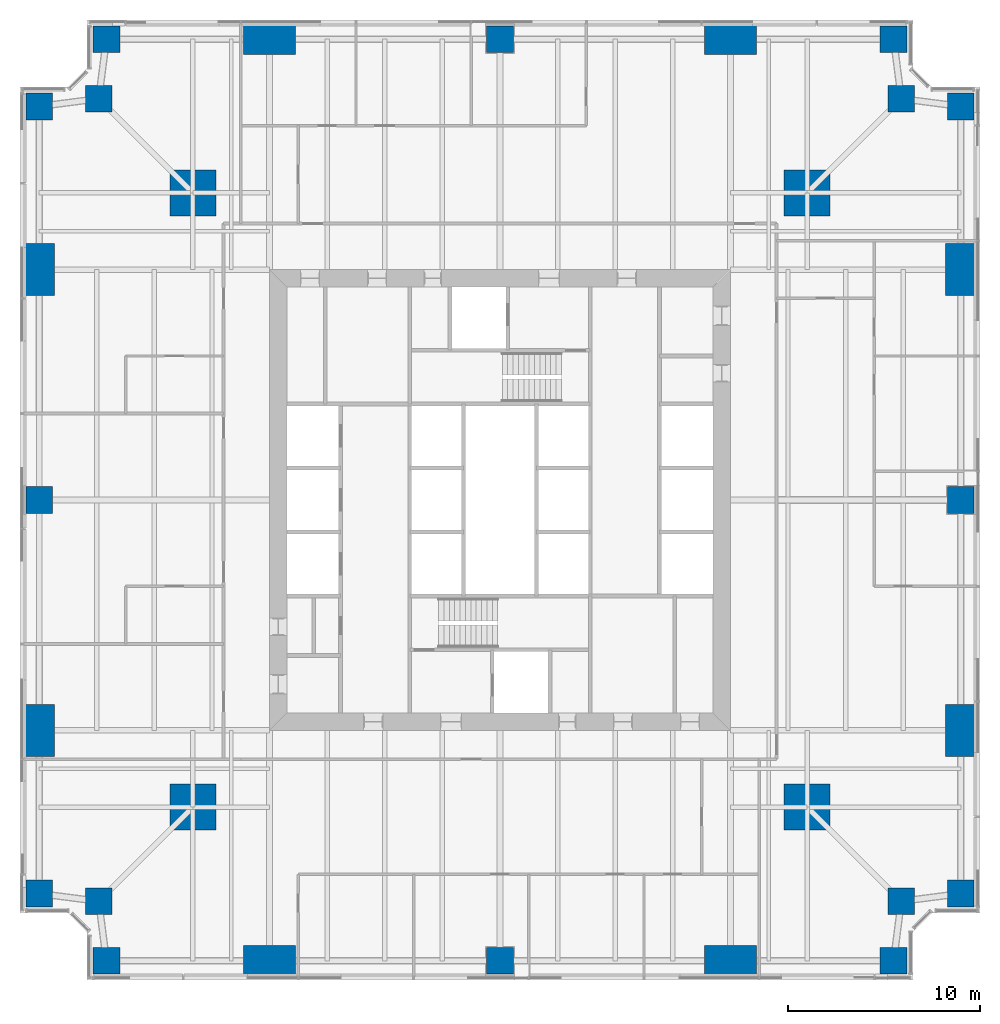
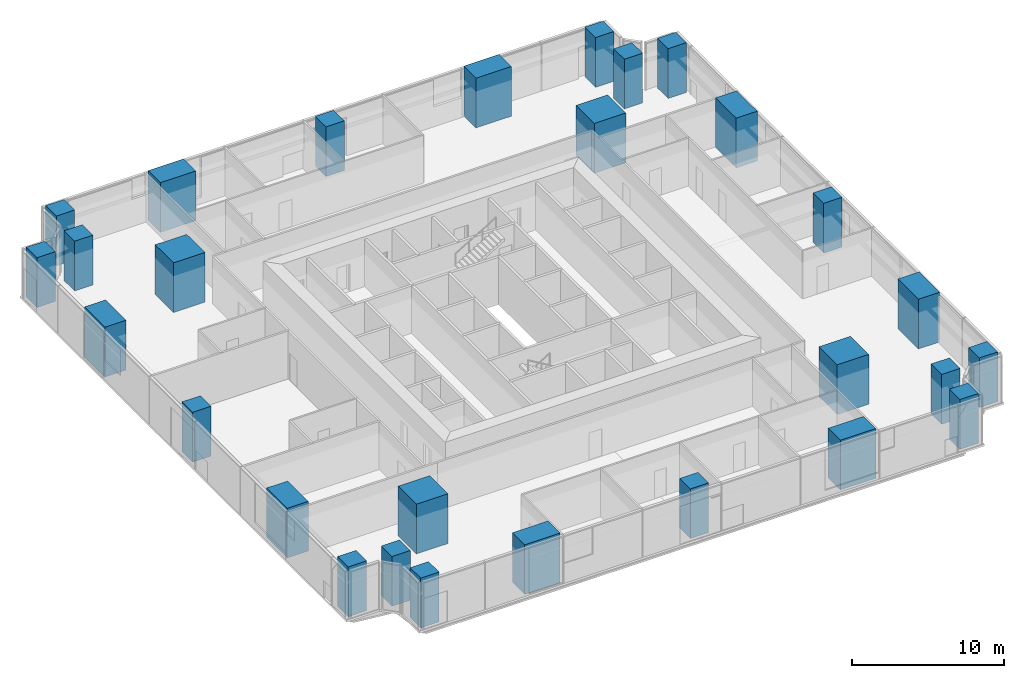
# One storey, part 1 of 14: 28 columns.
"""IFC4 building model written with IfcOpenShell, lengths in metres."""

from ifc_helpers import new_model, si_unit, direction, frame, origin, origin_2d, place, context, subcontext, project, spatial, rectangle, extrude, material, material_profile, profile_set, type_object, element, save


model = new_model("IFC4")

# Units and contexts
model_context = context("Model", 3, precision=1e-05, world=origin(), true_north=direction((0.0, 1.0)))
body_context = subcontext(model_context, "Body", "Model", "MODEL_VIEW")
ifc_project = project(units=[si_unit("LENGTHUNIT", "METRE"), si_unit("AREAUNIT", "SQUARE_METRE"), si_unit("VOLUMEUNIT", "CUBIC_METRE"), si_unit("PLANEANGLEUNIT", "RADIAN"), si_unit("MASSUNIT", "GRAM", prefix="KILO")], contexts=[model_context])

# Site, building, storey
site_placement = place(None, origin())
site = spatial("IfcSite", under=ifc_project, at=site_placement, CompositionType="ELEMENT")
building_placement = place(site_placement, origin())
building = spatial("IfcBuilding", under=site, at=building_placement, Name="Fenwick Lantern Interchange", CompositionType="ELEMENT")
storey_placement = place(building_placement, frame((0.0, 0.0, 83.0)))
storey = spatial("IfcBuildingStorey", under=building, at=storey_placement, Name="L19", CompositionType="ELEMENT", Elevation=83.0)

# Columns
ifc_material = material(Name="Concrete f'c 70 MPa", Category="concrete")
ifc_material_profile_1 = material_profile(ifc_material, rectangle(XDim=2.39990234375, YDim=2.39990234375, at=origin_2d()), Name="RC2400X2400")
ifc_profile_set_1 = profile_set([ifc_material_profile_1], Name="Concrete f'c 70 MPa")
column_type_1 = type_object("IfcColumnType", Name="MEGA COLUMN RC2400X2400", PredefinedType="COLUMN", material=ifc_profile_set_1)
for number, where, z_axis, x_axis, name in (
    (1, (9.0, 9.0, 0.0), (0.0, 0.0, 1.0), (1.0, 0.0, 0.0), "L19/M1"),
    (2, (41.0, 9.0, 0.0), (0.0, 0.0, 1.0), (1.0, 0.0, 0.0), "L19/M2"),
    (3, (41.0, 41.0, 0.0), (0.0, 0.0, 1.0), (1.0, 0.0, 0.0), "L19/M3"),
    (4, (9.0, 41.0, 0.0), (0.0, 0.0, 1.0), (1.0, 0.0, 0.0), "L19/M4"),
):
    element("IfcColumn", number, at=place(storey_placement, frame(where, z_axis=z_axis, x_axis=x_axis)), inside=storey, type_object=column_type_1, Name=name, PredefinedType="COLUMN", context=body_context, shape_type="SweptSolid", body=[
        extrude(rectangle(XDim=2.39990234375, YDim=2.39990234375, at=origin_2d()), origin(), (0.0, 0.0, 1.0), 4.0),
    ])
ifc_material_profile_2 = material_profile(ifc_material, rectangle(XDim=1.39990234375, YDim=1.39990234375, at=origin_2d()), Name="RC1400X1400")
ifc_profile_set_2 = profile_set([ifc_material_profile_2], Name="Concrete f'c 70 MPa")
column_type_2 = type_object("IfcColumnType", Name="PERIMETER COLUMN RC1400X1400", PredefinedType="COLUMN", material=ifc_profile_set_2)
for number, where, z_axis, x_axis, name in (
    (5, (4.5, 1.0, 0.0), (0.0, 0.0, 1.0), (1.0, 0.0, 0.0), "L19/CS1"),
    (6, (25.0, 1.0, 0.0), (0.0, 0.0, 1.0), (1.0, 0.0, 0.0), "L19/CS3"),
    (7, (45.5, 1.0, 0.0), (0.0, 0.0, 1.0), (1.0, 0.0, 0.0), "L19/CS5"),
    (8, (45.89990234375, 4.10009765625, 0.0), (0.0, 0.0, 1.0), (1.0, 0.0, 0.0), "L19/CSR"),
    (9, (49.0, 4.5, 0.0), (0.0, 0.0, 1.0), (1.0, 0.0, 0.0), "L19/CE1"),
    (10, (49.0, 25.0, 0.0), (0.0, 0.0, 1.0), (1.0, 0.0, 0.0), "L19/CE3"),
    (11, (49.0, 45.5, 0.0), (0.0, 0.0, 1.0), (1.0, 0.0, 0.0), "L19/CE5"),
    (12, (45.89990234375, 45.89990234375, 0.0), (0.0, 0.0, 1.0), (1.0, 0.0, 0.0), "L19/CER"),
    (13, (45.5, 49.0, 0.0), (0.0, 0.0, 1.0), (1.0, 0.0, 0.0), "L19/CN1"),
    (14, (25.0, 49.0, 0.0), (0.0, 0.0, 1.0), (1.0, 0.0, 0.0), "L19/CN3"),
    (15, (4.5, 49.0, 0.0), (0.0, 0.0, 1.0), (1.0, 0.0, 0.0), "L19/CN5"),
    (16, (4.10009765625, 45.89990234375, 0.0), (0.0, 0.0, 1.0), (1.0, 0.0, 0.0), "L19/CNR"),
    (17, (1.0, 45.5, 0.0), (0.0, 0.0, 1.0), (1.0, 0.0, 0.0), "L19/CW1"),
    (18, (1.0, 25.0, 0.0), (0.0, 0.0, 1.0), (1.0, 0.0, 0.0), "L19/CW3"),
    (19, (1.0, 4.5, 0.0), (0.0, 0.0, 1.0), (1.0, 0.0, 0.0), "L19/CW5"),
    (20, (4.10009765625, 4.10009765625, 0.0), (0.0, 0.0, 1.0), (1.0, 0.0, 0.0), "L19/CWR"),
):
    element("IfcColumn", number, at=place(storey_placement, frame(where, z_axis=z_axis, x_axis=x_axis)), inside=storey, type_object=column_type_2, Name=name, PredefinedType="COLUMN", context=body_context, shape_type="SweptSolid", body=[
        extrude(rectangle(XDim=1.39990234375, YDim=1.39990234375, at=origin_2d()), origin(), (0.0, 0.0, 1.0), 4.0),
    ])
ifc_material_profile_3 = material_profile(ifc_material, rectangle(XDim=1.60009765625, YDim=2.699951171875, at=origin_2d()), Name="RC1600X2700")
ifc_profile_set_3 = profile_set([ifc_material_profile_3], Name="Concrete f'c 70 MPa")
column_type_3 = type_object("IfcColumnType", Name="PERIMETER COLUMN RC1600X2700", PredefinedType="COLUMN", material=ifc_profile_set_3)
for number, where, z_axis, x_axis, name in (
    (21, (49.0, 13.0, 0.0), (0.0, 0.0, 1.0), (1.0, 0.0, 0.0), "L19/CE2"),
    (22, (49.0, 37.0, 0.0), (0.0, 0.0, 1.0), (1.0, 0.0, 0.0), "L19/CE4"),
    (23, (1.0, 37.0, 0.0), (0.0, 0.0, 1.0), (1.0, 0.0, 0.0), "L19/CW2"),
    (24, (1.0, 13.0, 0.0), (0.0, 0.0, 1.0), (1.0, 0.0, 0.0), "L19/CW4"),
):
    element("IfcColumn", number, at=place(storey_placement, frame(where, z_axis=z_axis, x_axis=x_axis)), inside=storey, type_object=column_type_3, Name=name, PredefinedType="COLUMN", context=body_context, shape_type="SweptSolid", body=[
        extrude(rectangle(XDim=1.60009765625, YDim=2.699951171875, at=origin_2d()), origin(), (0.0, 0.0, 1.0), 4.0),
    ])
ifc_material_profile_4 = material_profile(ifc_material, rectangle(XDim=2.699951171875, YDim=1.60009765625, at=origin_2d()), Name="RC2700X1600")
ifc_profile_set_4 = profile_set([ifc_material_profile_4], Name="Concrete f'c 70 MPa")
column_type_4 = type_object("IfcColumnType", Name="PERIMETER COLUMN RC2700X1600", PredefinedType="COLUMN", material=ifc_profile_set_4)
for number, where, z_axis, x_axis, name in (
    (25, (13.0, 1.0, 0.0), (0.0, 0.0, 1.0), (1.0, 0.0, 0.0), "L19/CS2"),
    (26, (37.0, 1.0, 0.0), (0.0, 0.0, 1.0), (1.0, 0.0, 0.0), "L19/CS4"),
    (27, (37.0, 49.0, 0.0), (0.0, 0.0, 1.0), (1.0, 0.0, 0.0), "L19/CN2"),
    (28, (13.0, 49.0, 0.0), (0.0, 0.0, 1.0), (1.0, 0.0, 0.0), "L19/CN4"),
):
    element("IfcColumn", number, at=place(storey_placement, frame(where, z_axis=z_axis, x_axis=x_axis)), inside=storey, type_object=column_type_4, Name=name, PredefinedType="COLUMN", context=body_context, shape_type="SweptSolid", body=[
        extrude(rectangle(XDim=2.699951171875, YDim=1.60009765625, at=origin_2d()), origin(), (0.0, 0.0, 1.0), 4.0),
    ])

save(model, "model.ifc")
